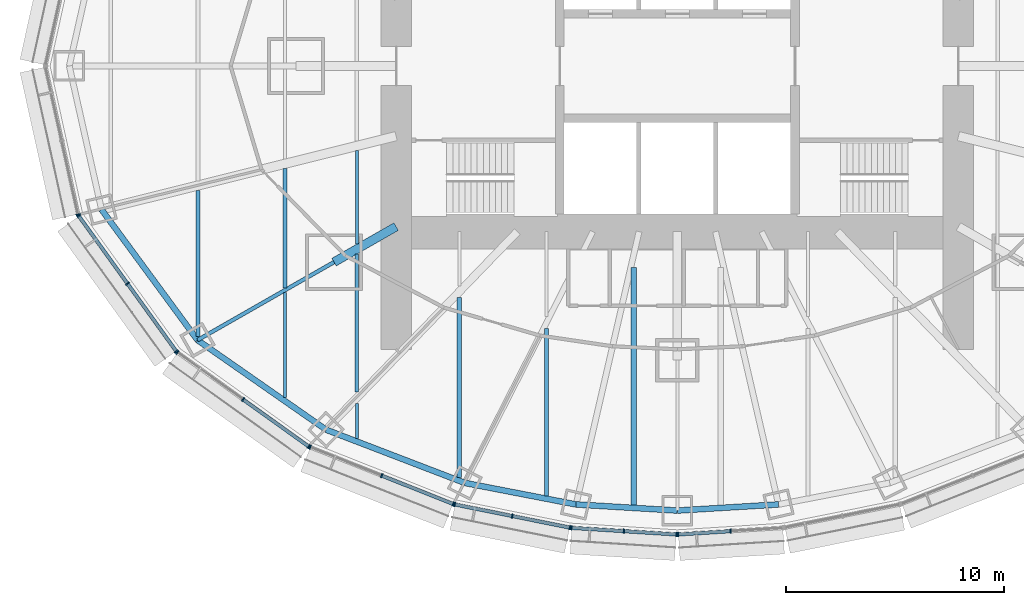
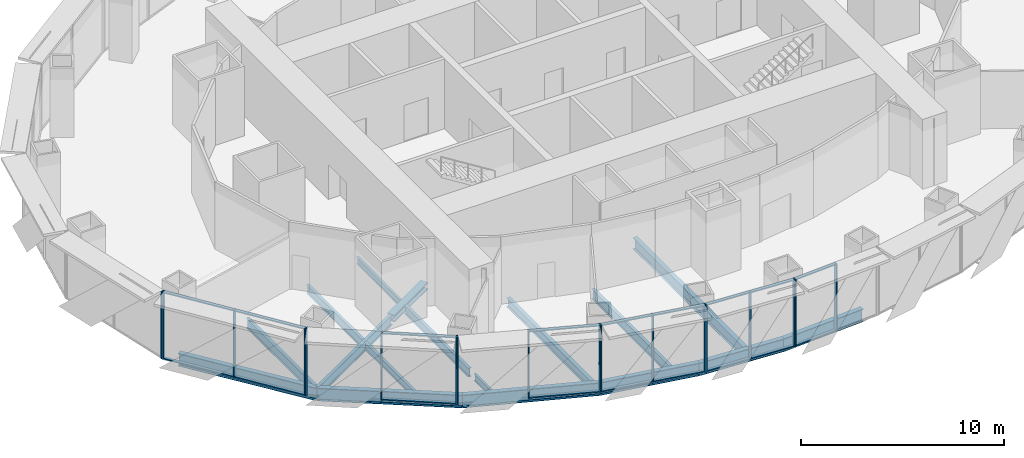
# One storey, part 2 of 17: 36 members, 17 beams, 7 elements without a shape of their own.
"""IFC4 building model written with IfcOpenShell, lengths in metres."""

from ifc_helpers import new_model, si_unit, direction, frame, origin, origin_2d, place, context, subcontext, project, spatial, rectangle, i_section, extrude, material, material_profile, profile_set, type_object, element, aggregate, save


model = new_model("IFC4")

# Units and contexts
model_context = context("Model", 3, precision=1e-05, world=origin(), true_north=direction((0.0, 1.0)))
body_context = subcontext(model_context, "Body", "Model", "MODEL_VIEW")
ifc_project = project(units=[si_unit("LENGTHUNIT", "METRE"), si_unit("AREAUNIT", "SQUARE_METRE"), si_unit("VOLUMEUNIT", "CUBIC_METRE"), si_unit("PLANEANGLEUNIT", "RADIAN"), si_unit("MASSUNIT", "GRAM", prefix="KILO")], contexts=[model_context])

# Site, building, storey
site_placement = place(None, origin())
site = spatial("IfcSite", under=ifc_project, at=site_placement, CompositionType="ELEMENT")
building_placement = place(site_placement, origin())
building = spatial("IfcBuilding", under=site, at=building_placement, Name="Lantaw Convention Tower", CompositionType="ELEMENT")
storey_placement = place(building_placement, frame((0.0, 0.0, 151.0)))
storey = spatial("IfcBuildingStorey", under=building, at=storey_placement, Name="L35", CompositionType="ELEMENT", Elevation=151.0)

# Beams
ifc_material_1 = material(Name="Steel ASTM A992", Category="steel")
ifc_material_profile_1 = material_profile(ifc_material_1, i_section(OverallWidth=0.2666015625, OverallDepth=0.76953125, WebThickness=0.015625, FlangeThickness=0.025390625, FilletRadius=0.0126953125, at=origin_2d()), Name="W30X132")
ifc_profile_set_1 = profile_set([ifc_material_profile_1], Name="Steel ASTM A992")
beam_type_1 = type_object("IfcBeamType", Name="Beam E W30X132", PredefinedType="SPANDREL", material=ifc_profile_set_1)
beam_1_placement = place(storey_placement, frame((-26.419921875, -6.587158203125, -0.534912109375), z_axis=(0.5923891972, -0.805651934176, 0.0), x_axis=(0.805651934176, 0.5923891972, 0.0)))
element("IfcBeam", 1, at=beam_1_placement, inside=storey, type_object=beam_type_1, Name="Edge beam 14", PredefinedType="SPANDREL", context=body_context, shape_type="SweptSolid", body=[
    extrude(i_section(OverallWidth=0.2666015625, OverallDepth=0.76953125, WebThickness=0.015625, FlangeThickness=0.025390625, FilletRadius=0.0126953125, at=origin_2d()), origin(), (0.0, 0.0, 1.0), 7.437744140625),
])
beam_2_placement = place(storey_placement, frame((-22.013916015625, -12.579345703125, -0.534912109375), z_axis=(0.820310765287, -0.57191804339, 0.0), x_axis=(0.57191804339, 0.820310765287, 0.0)))
element("IfcBeam", 2, at=beam_2_placement, inside=storey, type_object=beam_type_1, Name="Edge beam 15", PredefinedType="SPANDREL", context=body_context, shape_type="SweptSolid", body=[
    extrude(i_section(OverallWidth=0.2666015625, OverallDepth=0.76953125, WebThickness=0.015625, FlangeThickness=0.025390625, FilletRadius=0.0126953125, at=origin_2d()), origin(), (0.0, 0.0, 1.0), 7.187744140625),
])
beam_3_placement = place(storey_placement, frame((-16.11767578125, -16.690185546875, -0.534912109375), z_axis=(0.933691081977, -0.358079549033, 0.0), x_axis=(0.358079549033, 0.933691081977, 0.0)))
element("IfcBeam", 3, at=beam_3_placement, inside=storey, type_object=beam_type_1, Name="Edge beam 16", PredefinedType="SPANDREL", context=body_context, shape_type="SweptSolid", body=[
    extrude(i_section(OverallWidth=0.2666015625, OverallDepth=0.76953125, WebThickness=0.015625, FlangeThickness=0.025390625, FilletRadius=0.0126953125, at=origin_2d()), origin(), (0.0, 0.0, 1.0), 6.821533203125),
])
beam_4_placement = place(storey_placement, frame((-9.74853515625, -19.1328125, -0.534912109375), z_axis=(0.981796805654, -0.189934284446, 0.0), x_axis=(0.189934284446, 0.981796805654, 0.0)))
element("IfcBeam", 4, at=beam_4_placement, inside=storey, type_object=beam_type_1, Name="Edge beam 17", PredefinedType="SPANDREL", context=body_context, shape_type="SweptSolid", body=[
    extrude(i_section(OverallWidth=0.2666015625, OverallDepth=0.76953125, WebThickness=0.015625, FlangeThickness=0.025390625, FilletRadius=0.0126953125, at=origin_2d()), origin(), (0.0, 0.0, 1.0), 5.1982421875),
])
for number, where, z_axis, x_axis, name in (
    (5, (-4.64501953125, -20.1201171875, -0.534912109375), (0.998190892054, -0.06012439621, 0.0), (0.06012439621, 0.998190892054, 0.0), "Edge beam 18"),
    (6, (0.0, -20.39990234375, -0.534912109375), (0.998190892054, 0.06012439621, 0.0), (-0.06012439621, 0.998190892054, 0.0), "Edge beam 19"),
):
    element("IfcBeam", number, at=place(storey_placement, frame(where, z_axis=z_axis, x_axis=x_axis)), inside=storey, type_object=beam_type_1, Name=name, PredefinedType="SPANDREL", context=body_context, shape_type="SweptSolid", body=[
        extrude(i_section(OverallWidth=0.2666015625, OverallDepth=0.76953125, WebThickness=0.015625, FlangeThickness=0.025390625, FilletRadius=0.0126953125, at=origin_2d()), origin(), (0.0, 0.0, 1.0), 4.6533203125),
    ])
ifc_material_profile_2 = material_profile(ifc_material_1, i_section(OverallWidth=0.177978515625, OverallDepth=0.599365234375, WebThickness=0.010009765625, FlangeThickness=0.012939453125, FilletRadius=0.012939453125, at=origin_2d()), Name="W24X55")
ifc_profile_set_2 = profile_set([ifc_material_profile_2], Name="Steel ASTM A992")
beam_type_2 = type_object("IfcBeamType", Name="Beam G W24X55", PredefinedType="BEAM", material=ifc_profile_set_2)
beam_5_placement = place(storey_placement, frame((-15.75, -9.0, -0.44970703125), z_axis=(-0.868245224608, -0.496135293993, 0.0), x_axis=(0.496135293993, -0.868245224608, 0.0)))
element("IfcBeam", 7, at=beam_5_placement, inside=storey, type_object=beam_type_2, Name="Floor girder on ray 15", PredefinedType="BEAM", context=body_context, shape_type="SweptSolid", body=[
    extrude(i_section(OverallWidth=0.177978515625, OverallDepth=0.599365234375, WebThickness=0.010009765625, FlangeThickness=0.012939453125, FilletRadius=0.012939453125, at=origin_2d()), origin(), (0.0, 0.0, 1.0), 7.21435546875),
])
ifc_material_profile_3 = material_profile(ifc_material_1, i_section(OverallWidth=0.40380859375, OverallDepth=0.406494140625, WebThickness=0.027099609375, FlangeThickness=0.043701171875, FilletRadius=0.01513671875, at=origin_2d()), Name="W14X233")
ifc_profile_set_3 = profile_set([ifc_material_profile_3], Name="Steel ASTM A992")
beam_type_3 = type_object("IfcBeamType", Name="Beam GM W14X233", PredefinedType="BEAM", material=ifc_profile_set_3)
beam_6_placement = place(storey_placement, frame((-12.89990234375, -7.371337890625, -0.353271484375), z_axis=(-0.868238565244, -0.496146947811, 0.0), x_axis=(0.496146947811, -0.868238565244, 0.0)))
element("IfcBeam", 8, at=beam_6_placement, inside=storey, type_object=beam_type_3, Name="Core link beam on ray 15", PredefinedType="BEAM", context=body_context, shape_type="SweptSolid", body=[
    extrude(i_section(OverallWidth=0.40380859375, OverallDepth=0.406494140625, WebThickness=0.027099609375, FlangeThickness=0.043701171875, FilletRadius=0.01513671875, at=origin_2d()), origin(), (0.0, 0.0, 1.0), 3.28271484375),
])
ifc_material_profile_4 = material_profile(ifc_material_1, i_section(OverallWidth=0.140380859375, OverallDepth=0.40380859375, WebThickness=0.007080078125, FlangeThickness=0.01123046875, FilletRadius=0.01025390625, at=origin_2d()), Name="W16X31")
ifc_profile_set_4 = profile_set([ifc_material_profile_4], Name="Steel ASTM A992")
beam_type_4 = type_object("IfcBeamType", Name="Beam J W16X31", PredefinedType="JOIST", material=ifc_profile_set_4)
beam_7_placement = place(storey_placement, frame((-14.699951171875, -17.091064453125, -0.35205078125), z_axis=(0.0, 1.0, 0.0), x_axis=(-1.0, 0.0, 0.0)))
element("IfcBeam", 9, at=beam_7_placement, inside=storey, type_object=beam_type_4, Name="Floor joist", PredefinedType="JOIST", context=body_context, shape_type="SweptSolid", body=[
    extrude(i_section(OverallWidth=0.140380859375, OverallDepth=0.40380859375, WebThickness=0.007080078125, FlangeThickness=0.01123046875, FilletRadius=0.01025390625, at=origin_2d()), origin(), (0.0, 0.0, 1.0), 1.609130859375),
])
beam_8_placement = place(storey_placement, frame((-14.699951171875, -8.16748046875, -0.35205078125), z_axis=(0.0, 1.0, 0.0), x_axis=(-1.0, 0.0, 0.0)))
element("IfcBeam", 10, at=beam_8_placement, inside=storey, type_object=beam_type_4, Name="Floor joist", PredefinedType="JOIST", context=body_context, shape_type="SweptSolid", body=[
    extrude(i_section(OverallWidth=0.140380859375, OverallDepth=0.40380859375, WebThickness=0.007080078125, FlangeThickness=0.01123046875, FilletRadius=0.01025390625, at=origin_2d()), origin(), (0.0, 0.0, 1.0), 4.28515625),
])
ifc_material_profile_5 = material_profile(ifc_material_1, i_section(OverallWidth=0.15234375, OverallDepth=0.449462890625, WebThickness=0.007568359375, FlangeThickness=0.0107421875, FilletRadius=0.01025390625, at=origin_2d()), Name="W18X35")
ifc_profile_set_5 = profile_set([ifc_material_profile_5], Name="Steel ASTM A992")
beam_type_5 = type_object("IfcBeamType", Name="Beam J W18X35", PredefinedType="JOIST", material=ifc_profile_set_5)
beam_9_placement = place(storey_placement, frame((-18.0, -15.21533203125, -0.374755859375), z_axis=(0.0, 1.0, 0.0), x_axis=(-1.0, 0.0, 0.0)))
element("IfcBeam", 11, at=beam_9_placement, inside=storey, type_object=beam_type_5, Name="Floor joist", PredefinedType="JOIST", context=body_context, shape_type="SweptSolid", body=[
    extrude(i_section(OverallWidth=0.15234375, OverallDepth=0.449462890625, WebThickness=0.007568359375, FlangeThickness=0.0107421875, FilletRadius=0.01025390625, at=origin_2d()), origin(), (0.0, 0.0, 1.0), 4.8271484375),
])
ifc_material_profile_6 = material_profile(ifc_material_1, i_section(OverallWidth=0.1650390625, OverallDepth=0.52587890625, WebThickness=0.0087890625, FlangeThickness=0.011474609375, FilletRadius=0.0126953125, at=origin_2d()), Name="W21X44")
ifc_profile_set_6 = profile_set([ifc_material_profile_6], Name="Steel ASTM A992")
beam_type_6 = type_object("IfcBeamType", Name="Beam J W21X44", PredefinedType="JOIST", material=ifc_profile_set_6)
beam_10_placement = place(storey_placement, frame((-18.0, -10.18310546875, -0.412841796875), z_axis=(0.0, 1.0, 0.0), x_axis=(-1.0, 0.0, 0.0)))
element("IfcBeam", 12, at=beam_10_placement, inside=storey, type_object=beam_type_6, Name="Floor joist", PredefinedType="JOIST", context=body_context, shape_type="SweptSolid", body=[
    extrude(i_section(OverallWidth=0.1650390625, OverallDepth=0.52587890625, WebThickness=0.0087890625, FlangeThickness=0.011474609375, FilletRadius=0.0126953125, at=origin_2d()), origin(), (0.0, 0.0, 1.0), 5.47802734375),
])
beam_11_placement = place(storey_placement, frame((-14.699951171875, -14.962646484375, -0.412841796875), z_axis=(0.0, 1.0, 0.0), x_axis=(-1.0, 0.0, 0.0)))
element("IfcBeam", 13, at=beam_11_placement, inside=storey, type_object=beam_type_6, Name="Floor joist", PredefinedType="JOIST", context=body_context, shape_type="SweptSolid", body=[
    extrude(i_section(OverallWidth=0.1650390625, OverallDepth=0.52587890625, WebThickness=0.0087890625, FlangeThickness=0.011474609375, FilletRadius=0.0126953125, at=origin_2d()), origin(), (0.0, 0.0, 1.0), 6.330078125),
])
ifc_material_profile_7 = material_profile(ifc_material_1, i_section(OverallWidth=0.2099609375, OverallDepth=0.535888671875, WebThickness=0.010986328125, FlangeThickness=0.017333984375, FilletRadius=0.012939453125, at=origin_2d()), Name="W21X68")
ifc_profile_set_7 = profile_set([ifc_material_profile_7], Name="Steel ASTM A992")
beam_type_7 = type_object("IfcBeamType", Name="Beam J W21X68", PredefinedType="JOIST", material=ifc_profile_set_7)
beam_12_placement = place(storey_placement, frame((-10.0, -18.8935546875, -0.41796875), z_axis=(0.0, 1.0, 0.0), x_axis=(-1.0, 0.0, 0.0)))
element("IfcBeam", 14, at=beam_12_placement, inside=storey, type_object=beam_type_7, Name="Floor joist", PredefinedType="JOIST", context=body_context, shape_type="SweptSolid", body=[
    extrude(i_section(OverallWidth=0.2099609375, OverallDepth=0.535888671875, WebThickness=0.010986328125, FlangeThickness=0.017333984375, FilletRadius=0.012939453125, at=origin_2d()), origin(), (0.0, 0.0, 1.0), 8.278564453125),
])
ifc_material_profile_8 = material_profile(ifc_material_1, i_section(OverallWidth=0.177978515625, OverallDepth=0.599365234375, WebThickness=0.010009765625, FlangeThickness=0.012939453125, FilletRadius=0.012939453125, at=origin_2d()), Name="W24X55")
ifc_profile_set_8 = profile_set([ifc_material_profile_8], Name="Steel ASTM A992")
beam_type_8 = type_object("IfcBeamType", Name="Beam J W24X55", PredefinedType="JOIST", material=ifc_profile_set_8)
beam_13_placement = place(storey_placement, frame((-22.0, -12.408935546875, -0.44970703125), z_axis=(0.0, 1.0, 0.0), x_axis=(-1.0, 0.0, 0.0)))
element("IfcBeam", 15, at=beam_13_placement, inside=storey, type_object=beam_type_8, Name="Floor joist", PredefinedType="JOIST", context=body_context, shape_type="SweptSolid", body=[
    extrude(i_section(OverallWidth=0.177978515625, OverallDepth=0.599365234375, WebThickness=0.010009765625, FlangeThickness=0.012939453125, FilletRadius=0.012939453125, at=origin_2d()), origin(), (0.0, 0.0, 1.0), 6.70654296875),
])
beam_14_placement = place(storey_placement, frame((-6.0, -19.72216796875, -0.44970703125), z_axis=(0.0, 1.0, 0.0), x_axis=(-1.0, 0.0, 0.0)))
element("IfcBeam", 16, at=beam_14_placement, inside=storey, type_object=beam_type_8, Name="Floor joist", PredefinedType="JOIST", context=body_context, shape_type="SweptSolid", body=[
    extrude(i_section(OverallWidth=0.177978515625, OverallDepth=0.599365234375, WebThickness=0.010009765625, FlangeThickness=0.012939453125, FilletRadius=0.012939453125, at=origin_2d()), origin(), (0.0, 0.0, 1.0), 7.666748046875),
])
ifc_material_profile_9 = material_profile(ifc_material_1, i_section(OverallWidth=0.25390625, OverallDepth=0.683349609375, WebThickness=0.012451171875, FlangeThickness=0.01904296875, FilletRadius=0.01513671875, at=origin_2d()), Name="W27X94")
ifc_profile_set_9 = profile_set([ifc_material_profile_9], Name="Steel ASTM A992")
beam_type_9 = type_object("IfcBeamType", Name="Beam J W27X94", PredefinedType="JOIST", material=ifc_profile_set_9)
beam_15_placement = place(storey_placement, frame((-2.0, -20.145751953125, -0.49169921875), z_axis=(0.0, 1.0, 0.0), x_axis=(-1.0, 0.0, 0.0)))
element("IfcBeam", 17, at=beam_15_placement, inside=storey, type_object=beam_type_9, Name="Floor joist", PredefinedType="JOIST", context=body_context, shape_type="SweptSolid", body=[
    extrude(i_section(OverallWidth=0.25390625, OverallDepth=0.683349609375, WebThickness=0.012451171875, FlangeThickness=0.01904296875, FilletRadius=0.01513671875, at=origin_2d()), origin(), (0.0, 0.0, 1.0), 10.889892578125),
])

# Curtain wall, member
ifc_material_2 = material(Name="Aluminium framed curtain wall", Category="aluminium")
curtain_wall_type = type_object("IfcCurtainWallType", Name="Office curtain wall low rise, pale aluminium", PredefinedType="USERDEFINED", material=ifc_material_2)
curtain_wall_1_placement = place(storey_placement, origin())
curtain_wall_1 = element("IfcCurtainWall", 18, at=curtain_wall_1_placement, inside=storey, type_object=curtain_wall_type, Name="Office curtain wall low rise, pale aluminium L35", ObjectType="UNITISED CURTAIN WALL", PredefinedType="USERDEFINED")
ifc_material_3 = material(Name="Aluminium 6063-T6", Category="aluminium")
ifc_material_profile_10 = material_profile(ifc_material_3, rectangle(XDim=0.199951171875, YDim=0.06494140625, at=origin_2d()), Name="CW-O1 mullion 65x200")
ifc_profile_set_10 = profile_set([ifc_material_profile_10], Name="Aluminium 6063-T6")
member_type_1 = type_object("IfcMemberType", Name="CW-O1 mullion 65x200", PredefinedType="MULLION", material=ifc_profile_set_10)
member_1_placement = place(storey_placement, frame((-27.494140625, -6.821533203125, 0.0), z_axis=(0.0, 0.0, 1.0), x_axis=(0.9764936509, 0.215546166174, 0.0)))
member_1 = element("IfcMember", 19, at=member_1_placement, type_object=member_type_1, Name="CW-O1 mullion 3", PredefinedType="MULLION", context=body_context, shape_type="SweptSolid", body=[
    extrude(rectangle(XDim=0.199951171875, YDim=0.06494140625, at=origin_2d()), origin(), (0.0, 0.0, 1.0), 4.050048828125),
])
aggregate(curtain_wall_1, [member_1])

# Curtain wall, members
curtain_wall_2_placement = place(storey_placement, origin())
curtain_wall_2 = element("IfcCurtainWall", 20, at=curtain_wall_2_placement, inside=storey, type_object=curtain_wall_type, Name="Office curtain wall low rise, pale aluminium L35", ObjectType="UNITISED CURTAIN WALL", PredefinedType="USERDEFINED")
member_2_placement = place(storey_placement, frame((-27.46826171875, -6.879638671875, 0.0), z_axis=(0.0, 0.0, 1.0), x_axis=(0.811384633629, 0.584512597221, 0.0)))
member_2 = element("IfcMember", 21, at=member_2_placement, type_object=member_type_1, Name="CW-O1 mullion 1", PredefinedType="MULLION", context=body_context, shape_type="SweptSolid", body=[
    extrude(rectangle(XDim=0.199951171875, YDim=0.06494140625, at=origin_2d()), origin(), (0.0, 0.0, 1.0), 4.050048828125),
])
member_3_placement = place(storey_placement, frame((-25.22802734375, -9.9892578125, 0.0), z_axis=(0.0, 0.0, 1.0), x_axis=(0.811384633629, 0.584512597221, 0.0)))
member_3 = element("IfcMember", 22, at=member_3_placement, type_object=member_type_1, Name="CW-O1 mullion 2", PredefinedType="MULLION", context=body_context, shape_type="SweptSolid", body=[
    extrude(rectangle(XDim=0.199951171875, YDim=0.06494140625, at=origin_2d()), origin(), (0.0, 0.0, 1.0), 4.050048828125),
])
member_4_placement = place(storey_placement, frame((-22.988037109375, -13.098876953125, 0.0), z_axis=(0.0, 0.0, 1.0), x_axis=(0.811384633629, 0.584512597221, 0.0)))
member_4 = element("IfcMember", 23, at=member_4_placement, type_object=member_type_1, Name="CW-O1 mullion 3", PredefinedType="MULLION", context=body_context, shape_type="SweptSolid", body=[
    extrude(rectangle(XDim=0.199951171875, YDim=0.06494140625, at=origin_2d()), origin(), (0.0, 0.0, 1.0), 4.050048828125),
])

curtain_wall_3_placement = place(storey_placement, origin())
curtain_wall_3 = element("IfcCurtainWall", 24, at=curtain_wall_3_placement, inside=storey, type_object=curtain_wall_type, Name="Office curtain wall low rise, pale aluminium L35", ObjectType="UNITISED CURTAIN WALL", PredefinedType="USERDEFINED")
member_5_placement = place(storey_placement, frame((-22.942626953125, -13.14404296875, 0.0), z_axis=(0.0, 0.0, 1.0), x_axis=(0.581972695693, 0.813208325995, 0.0)))
member_5 = element("IfcMember", 25, at=member_5_placement, type_object=member_type_1, Name="CW-O1 mullion 1", PredefinedType="MULLION", context=body_context, shape_type="SweptSolid", body=[
    extrude(rectangle(XDim=0.199951171875, YDim=0.06494140625, at=origin_2d()), origin(), (0.0, 0.0, 1.0), 4.050048828125),
])
member_6_placement = place(storey_placement, frame((-19.92529296875, -15.303466796875, 0.0), z_axis=(0.0, 0.0, 1.0), x_axis=(0.581972695693, 0.813208325995, 0.0)))
member_6 = element("IfcMember", 26, at=member_6_placement, type_object=member_type_1, Name="CW-O1 mullion 2", PredefinedType="MULLION", context=body_context, shape_type="SweptSolid", body=[
    extrude(rectangle(XDim=0.199951171875, YDim=0.06494140625, at=origin_2d()), origin(), (0.0, 0.0, 1.0), 4.050048828125),
])
member_7_placement = place(storey_placement, frame((-16.908203125, -17.462646484375, 0.0), z_axis=(0.0, 0.0, 1.0), x_axis=(0.581972695693, 0.813208325995, 0.0)))
member_7 = element("IfcMember", 27, at=member_7_placement, type_object=member_type_1, Name="CW-O1 mullion 3", PredefinedType="MULLION", context=body_context, shape_type="SweptSolid", body=[
    extrude(rectangle(XDim=0.199951171875, YDim=0.06494140625, at=origin_2d()), origin(), (0.0, 0.0, 1.0), 4.050048828125),
])

curtain_wall_4_placement = place(storey_placement, origin())
curtain_wall_4 = element("IfcCurtainWall", 28, at=curtain_wall_4_placement, inside=storey, type_object=curtain_wall_type, Name="Office curtain wall low rise, pale aluminium L35", ObjectType="UNITISED CURTAIN WALL", PredefinedType="USERDEFINED")
member_8_placement = place(storey_placement, frame((-16.8515625, -17.49365234375, 0.0), z_axis=(0.0, 0.0, 1.0), x_axis=(0.368701907483, 0.929547687544, 0.0)))
member_8 = element("IfcMember", 29, at=member_8_placement, type_object=member_type_1, Name="CW-O1 mullion 1", PredefinedType="MULLION", context=body_context, shape_type="SweptSolid", body=[
    extrude(rectangle(XDim=0.199951171875, YDim=0.06494140625, at=origin_2d()), origin(), (0.0, 0.0, 1.0), 4.050048828125),
])
member_9_placement = place(storey_placement, frame((-13.56494140625, -18.797119140625, 0.0), z_axis=(0.0, 0.0, 1.0), x_axis=(0.368701907483, 0.929547687544, 0.0)))
member_9 = element("IfcMember", 30, at=member_9_placement, type_object=member_type_1, Name="CW-O1 mullion 2", PredefinedType="MULLION", context=body_context, shape_type="SweptSolid", body=[
    extrude(rectangle(XDim=0.199951171875, YDim=0.06494140625, at=origin_2d()), origin(), (0.0, 0.0, 1.0), 4.050048828125),
])
member_10_placement = place(storey_placement, frame((-10.2783203125, -20.100830078125, 0.0), z_axis=(0.0, 0.0, 1.0), x_axis=(0.368701907483, 0.929547687544, 0.0)))
member_10 = element("IfcMember", 31, at=member_10_placement, type_object=member_type_1, Name="CW-O1 mullion 3", PredefinedType="MULLION", context=body_context, shape_type="SweptSolid", body=[
    extrude(rectangle(XDim=0.199951171875, YDim=0.06494140625, at=origin_2d()), origin(), (0.0, 0.0, 1.0), 4.050048828125),
])

curtain_wall_5_placement = place(storey_placement, origin())
curtain_wall_5 = element("IfcCurtainWall", 32, at=curtain_wall_5_placement, inside=storey, type_object=curtain_wall_type, Name="Office curtain wall low rise, pale aluminium L35", ObjectType="UNITISED CURTAIN WALL", PredefinedType="USERDEFINED")
member_11_placement = place(storey_placement, frame((-10.216064453125, -20.119140625, 0.0), z_axis=(0.0, 0.0, 1.0), x_axis=(0.197506809659, 0.980301514912, 0.0)))
member_11 = element("IfcMember", 33, at=member_11_placement, type_object=member_type_1, Name="CW-O1 mullion 1", PredefinedType="MULLION", context=body_context, shape_type="SweptSolid", body=[
    extrude(rectangle(XDim=0.199951171875, YDim=0.06494140625, at=origin_2d()), origin(), (0.0, 0.0, 1.0), 4.050048828125),
])
member_12_placement = place(storey_placement, frame((-7.5703125, -20.65234375, 0.0), z_axis=(0.0, 0.0, 1.0), x_axis=(0.197506809659, 0.980301514912, 0.0)))
member_12 = element("IfcMember", 34, at=member_12_placement, type_object=member_type_1, Name="CW-O1 mullion 2", PredefinedType="MULLION", context=body_context, shape_type="SweptSolid", body=[
    extrude(rectangle(XDim=0.199951171875, YDim=0.06494140625, at=origin_2d()), origin(), (0.0, 0.0, 1.0), 4.050048828125),
])
member_13_placement = place(storey_placement, frame((-4.92431640625, -21.185302734375, 0.0), z_axis=(0.0, 0.0, 1.0), x_axis=(0.197506809659, 0.980301514912, 0.0)))
member_13 = element("IfcMember", 35, at=member_13_placement, type_object=member_type_1, Name="CW-O1 mullion 3", PredefinedType="MULLION", context=body_context, shape_type="SweptSolid", body=[
    extrude(rectangle(XDim=0.199951171875, YDim=0.06494140625, at=origin_2d()), origin(), (0.0, 0.0, 1.0), 4.050048828125),
])

curtain_wall_6_placement = place(storey_placement, origin())
curtain_wall_6 = element("IfcCurtainWall", 36, at=curtain_wall_6_placement, inside=storey, type_object=curtain_wall_type, Name="Office curtain wall low rise, pale aluminium L35", ObjectType="UNITISED CURTAIN WALL", PredefinedType="USERDEFINED")
member_14_placement = place(storey_placement, frame((-4.860107421875, -21.19384765625, 0.0), z_axis=(0.0, 0.0, 1.0), x_axis=(0.062865059466, 0.998022035978, 0.0)))
member_14 = element("IfcMember", 37, at=member_14_placement, type_object=member_type_1, Name="CW-O1 mullion 1", PredefinedType="MULLION", context=body_context, shape_type="SweptSolid", body=[
    extrude(rectangle(XDim=0.199951171875, YDim=0.06494140625, at=origin_2d()), origin(), (0.0, 0.0, 1.0), 4.050048828125),
])
member_15_placement = place(storey_placement, frame((-2.4462890625, -21.345947265625, 0.0), z_axis=(0.0, 0.0, 1.0), x_axis=(0.062865059466, 0.998022035978, 0.0)))
member_15 = element("IfcMember", 38, at=member_15_placement, type_object=member_type_1, Name="CW-O1 mullion 2", PredefinedType="MULLION", context=body_context, shape_type="SweptSolid", body=[
    extrude(rectangle(XDim=0.199951171875, YDim=0.06494140625, at=origin_2d()), origin(), (0.0, 0.0, 1.0), 4.050048828125),
])
member_16_placement = place(storey_placement, frame((-0.032470703125, -21.498046875, 0.0), z_axis=(0.0, 0.0, 1.0), x_axis=(0.062865059466, 0.998022035978, 0.0)))
member_16 = element("IfcMember", 39, at=member_16_placement, type_object=member_type_1, Name="CW-O1 mullion 3", PredefinedType="MULLION", context=body_context, shape_type="SweptSolid", body=[
    extrude(rectangle(XDim=0.199951171875, YDim=0.06494140625, at=origin_2d()), origin(), (0.0, 0.0, 1.0), 4.050048828125),
])

curtain_wall_7_placement = place(storey_placement, origin())
curtain_wall_7 = element("IfcCurtainWall", 40, at=curtain_wall_7_placement, inside=storey, type_object=curtain_wall_type, Name="Office curtain wall low rise, pale aluminium L35", ObjectType="UNITISED CURTAIN WALL", PredefinedType="USERDEFINED")
member_17_placement = place(storey_placement, frame((0.032470703125, -21.498046875, 0.0), z_axis=(0.0, 0.0, 1.0), x_axis=(-0.062865059466, 0.998022035978, 0.0)))
member_17 = element("IfcMember", 41, at=member_17_placement, type_object=member_type_1, Name="CW-O1 mullion 1", PredefinedType="MULLION", context=body_context, shape_type="SweptSolid", body=[
    extrude(rectangle(XDim=0.199951171875, YDim=0.06494140625, at=origin_2d()), origin(), (0.0, 0.0, 1.0), 4.050048828125),
])
member_18_placement = place(storey_placement, frame((2.4462890625, -21.345947265625, 0.0), z_axis=(0.0, 0.0, 1.0), x_axis=(-0.062865059466, 0.998022035978, 0.0)))
member_18 = element("IfcMember", 42, at=member_18_placement, type_object=member_type_1, Name="CW-O1 mullion 2", PredefinedType="MULLION", context=body_context, shape_type="SweptSolid", body=[
    extrude(rectangle(XDim=0.199951171875, YDim=0.06494140625, at=origin_2d()), origin(), (0.0, 0.0, 1.0), 4.050048828125),
])

# Member
ifc_material_profile_11 = material_profile(ifc_material_3, rectangle(XDim=0.159912109375, YDim=0.06494140625, at=origin_2d()), Name="CW-O1 transom 65x160")
ifc_profile_set_11 = profile_set([ifc_material_profile_11], Name="Aluminium 6063-T6")
member_type_2 = type_object("IfcMemberType", Name="CW-O1 transom 65x160", PredefinedType="USERDEFINED", material=ifc_profile_set_11)
member_19_placement = place(storey_placement, frame((-27.44921875, -6.906005859375, 0.032470703125), z_axis=(0.584512973979, -0.811384362217, 0.0), x_axis=(0.811384362217, 0.584512973979, 0.0)))
member_19 = element("IfcMember", 43, at=member_19_placement, type_object=member_type_2, Name="CW-O1 transom 1.1", ObjectType="TRANSOM", PredefinedType="USERDEFINED", context=body_context, shape_type="SweptSolid", body=[
    extrude(rectangle(XDim=0.159912109375, YDim=0.06494140625, at=origin_2d()), origin(), (0.0, 0.0, 1.0), 3.767578125),
])

member_20_placement = place(storey_placement, frame((-27.44921875, -6.906005859375, 4.017578125), z_axis=(0.584512973979, -0.811384362217, 0.0), x_axis=(0.811384362217, 0.584512973979, 0.0)))
member_20 = element("IfcMember", 44, at=member_20_placement, type_object=member_type_2, Name="CW-O1 transom 1.2", ObjectType="TRANSOM", PredefinedType="USERDEFINED", context=body_context, shape_type="SweptSolid", body=[
    extrude(rectangle(XDim=0.159912109375, YDim=0.06494140625, at=origin_2d()), origin(), (0.0, 0.0, 1.0), 3.767578125),
])

member_21_placement = place(storey_placement, frame((-25.209228515625, -10.015625, 0.032470703125), z_axis=(0.584512973979, -0.811384362217, 0.0), x_axis=(0.811384362217, 0.584512973979, 0.0)))
member_21 = element("IfcMember", 45, at=member_21_placement, type_object=member_type_2, Name="CW-O1 transom 2.1", ObjectType="TRANSOM", PredefinedType="USERDEFINED", context=body_context, shape_type="SweptSolid", body=[
    extrude(rectangle(XDim=0.159912109375, YDim=0.06494140625, at=origin_2d()), origin(), (0.0, 0.0, 1.0), 3.767578125),
])

member_22_placement = place(storey_placement, frame((-25.209228515625, -10.015625, 4.017578125), z_axis=(0.584512973979, -0.811384362217, 0.0), x_axis=(0.811384362217, 0.584512973979, 0.0)))
member_22 = element("IfcMember", 46, at=member_22_placement, type_object=member_type_2, Name="CW-O1 transom 2.2", ObjectType="TRANSOM", PredefinedType="USERDEFINED", context=body_context, shape_type="SweptSolid", body=[
    extrude(rectangle(XDim=0.159912109375, YDim=0.06494140625, at=origin_2d()), origin(), (0.0, 0.0, 1.0), 3.767578125),
])

aggregate(curtain_wall_2, [member_2, member_3, member_4, member_19, member_20, member_21, member_22])

member_23_placement = place(storey_placement, frame((-19.89892578125, -15.322265625, 0.032470703125), z_axis=(0.813190089133, -0.581998177777, 0.0), x_axis=(0.581998177777, 0.813190089133, 0.0)))
member_23 = element("IfcMember", 47, at=member_23_placement, type_object=member_type_2, Name="CW-O1 transom 2.1", ObjectType="TRANSOM", PredefinedType="USERDEFINED", context=body_context, shape_type="SweptSolid", body=[
    extrude(rectangle(XDim=0.159912109375, YDim=0.06494140625, at=origin_2d()), origin(), (0.0, 0.0, 1.0), 3.645263671875),
])

member_24_placement = place(storey_placement, frame((-19.89892578125, -15.322265625, 4.017578125), z_axis=(0.813190089133, -0.581998177777, 0.0), x_axis=(0.581998177777, 0.813190089133, 0.0)))
member_24 = element("IfcMember", 48, at=member_24_placement, type_object=member_type_2, Name="CW-O1 transom 2.2", ObjectType="TRANSOM", PredefinedType="USERDEFINED", context=body_context, shape_type="SweptSolid", body=[
    extrude(rectangle(XDim=0.159912109375, YDim=0.06494140625, at=origin_2d()), origin(), (0.0, 0.0, 1.0), 3.645263671875),
])

aggregate(curtain_wall_3, [member_5, member_6, member_7, member_23, member_24])

member_25_placement = place(storey_placement, frame((-13.53466796875, -18.80908203125, 0.032470703125), z_axis=(0.929540081544, -0.368721082668, 0.0), x_axis=(0.368721082668, 0.929540081544, 0.0)))
member_25 = element("IfcMember", 49, at=member_25_placement, type_object=member_type_2, Name="CW-O1 transom 2.1", ObjectType="TRANSOM", PredefinedType="USERDEFINED", context=body_context, shape_type="SweptSolid", body=[
    extrude(rectangle(XDim=0.159912109375, YDim=0.06494140625, at=origin_2d()), origin(), (0.0, 0.0, 1.0), 3.470947265625),
])

member_26_placement = place(storey_placement, frame((-13.53466796875, -18.80908203125, 4.017578125), z_axis=(0.929540081544, -0.368721082668, 0.0), x_axis=(0.368721082668, 0.929540081544, 0.0)))
member_26 = element("IfcMember", 50, at=member_26_placement, type_object=member_type_2, Name="CW-O1 transom 2.2", ObjectType="TRANSOM", PredefinedType="USERDEFINED", context=body_context, shape_type="SweptSolid", body=[
    extrude(rectangle(XDim=0.159912109375, YDim=0.06494140625, at=origin_2d()), origin(), (0.0, 0.0, 1.0), 3.470947265625),
])

aggregate(curtain_wall_4, [member_8, member_9, member_10, member_25, member_26])

member_27_placement = place(storey_placement, frame((-10.184326171875, -20.125732421875, 0.032470703125), z_axis=(0.980301643003, -0.197506173891, 0.0), x_axis=(0.197506173891, 0.980301643003, 0.0)))
member_27 = element("IfcMember", 51, at=member_27_placement, type_object=member_type_2, Name="CW-O1 transom 1.1", ObjectType="TRANSOM", PredefinedType="USERDEFINED", context=body_context, shape_type="SweptSolid", body=[
    extrude(rectangle(XDim=0.159912109375, YDim=0.06494140625, at=origin_2d()), origin(), (0.0, 0.0, 1.0), 2.63427734375),
])

member_28_placement = place(storey_placement, frame((-10.184326171875, -20.125732421875, 4.017578125), z_axis=(0.980301643003, -0.197506173891, 0.0), x_axis=(0.197506173891, 0.980301643003, 0.0)))
member_28 = element("IfcMember", 52, at=member_28_placement, type_object=member_type_2, Name="CW-O1 transom 1.2", ObjectType="TRANSOM", PredefinedType="USERDEFINED", context=body_context, shape_type="SweptSolid", body=[
    extrude(rectangle(XDim=0.159912109375, YDim=0.06494140625, at=origin_2d()), origin(), (0.0, 0.0, 1.0), 2.63427734375),
])

member_29_placement = place(storey_placement, frame((-7.538330078125, -20.65869140625, 0.032470703125), z_axis=(0.980298027092, -0.197524120247, 0.0), x_axis=(0.197524120247, 0.980298027092, 0.0)))
member_29 = element("IfcMember", 53, at=member_29_placement, type_object=member_type_2, Name="CW-O1 transom 2.1", ObjectType="TRANSOM", PredefinedType="USERDEFINED", context=body_context, shape_type="SweptSolid", body=[
    extrude(rectangle(XDim=0.159912109375, YDim=0.06494140625, at=origin_2d()), origin(), (0.0, 0.0, 1.0), 2.634033203125),
])

member_30_placement = place(storey_placement, frame((-7.538330078125, -20.65869140625, 4.017578125), z_axis=(0.980298027092, -0.197524120247, 0.0), x_axis=(0.197524120247, 0.980298027092, 0.0)))
member_30 = element("IfcMember", 54, at=member_30_placement, type_object=member_type_2, Name="CW-O1 transom 2.2", ObjectType="TRANSOM", PredefinedType="USERDEFINED", context=body_context, shape_type="SweptSolid", body=[
    extrude(rectangle(XDim=0.159912109375, YDim=0.06494140625, at=origin_2d()), origin(), (0.0, 0.0, 1.0), 2.634033203125),
])

aggregate(curtain_wall_5, [member_11, member_12, member_13, member_27, member_28, member_29, member_30])

member_31_placement = place(storey_placement, frame((-4.82763671875, -21.19580078125, 0.032470703125), z_axis=(0.998022188463, -0.062862638625, 0.0), x_axis=(0.062862638625, 0.998022188463, 0.0)))
member_31 = element("IfcMember", 55, at=member_31_placement, type_object=member_type_2, Name="CW-O1 transom 1.1", ObjectType="TRANSOM", PredefinedType="USERDEFINED", context=body_context, shape_type="SweptSolid", body=[
    extrude(rectangle(XDim=0.159912109375, YDim=0.06494140625, at=origin_2d()), origin(), (0.0, 0.0, 1.0), 2.353515625),
])

member_32_placement = place(storey_placement, frame((-4.82763671875, -21.19580078125, 4.017578125), z_axis=(0.998022188463, -0.062862638625, 0.0), x_axis=(0.062862638625, 0.998022188463, 0.0)))
member_32 = element("IfcMember", 56, at=member_32_placement, type_object=member_type_2, Name="CW-O1 transom 1.2", ObjectType="TRANSOM", PredefinedType="USERDEFINED", context=body_context, shape_type="SweptSolid", body=[
    extrude(rectangle(XDim=0.159912109375, YDim=0.06494140625, at=origin_2d()), origin(), (0.0, 0.0, 1.0), 2.353515625),
])

member_33_placement = place(storey_placement, frame((-2.413818359375, -21.347900390625, 0.032470703125), z_axis=(0.998022188463, -0.062862638625, 0.0), x_axis=(0.062862638625, 0.998022188463, 0.0)))
member_33 = element("IfcMember", 57, at=member_33_placement, type_object=member_type_2, Name="CW-O1 transom 2.1", ObjectType="TRANSOM", PredefinedType="USERDEFINED", context=body_context, shape_type="SweptSolid", body=[
    extrude(rectangle(XDim=0.159912109375, YDim=0.06494140625, at=origin_2d()), origin(), (0.0, 0.0, 1.0), 2.353515625),
])

member_34_placement = place(storey_placement, frame((-2.413818359375, -21.347900390625, 4.017578125), z_axis=(0.998022188463, -0.062862638625, 0.0), x_axis=(0.062862638625, 0.998022188463, 0.0)))
member_34 = element("IfcMember", 58, at=member_34_placement, type_object=member_type_2, Name="CW-O1 transom 2.2", ObjectType="TRANSOM", PredefinedType="USERDEFINED", context=body_context, shape_type="SweptSolid", body=[
    extrude(rectangle(XDim=0.159912109375, YDim=0.06494140625, at=origin_2d()), origin(), (0.0, 0.0, 1.0), 2.353515625),
])

aggregate(curtain_wall_6, [member_14, member_15, member_16, member_31, member_32, member_33, member_34])

member_35_placement = place(storey_placement, frame((0.06494140625, -21.495849609375, 0.032470703125), z_axis=(0.998022188463, 0.062862638625, 0.0), x_axis=(-0.062862638625, 0.998022188463, 0.0)))
member_35 = element("IfcMember", 59, at=member_35_placement, type_object=member_type_2, Name="CW-O1 transom 1.1", ObjectType="TRANSOM", PredefinedType="USERDEFINED", context=body_context, shape_type="SweptSolid", body=[
    extrude(rectangle(XDim=0.159912109375, YDim=0.06494140625, at=origin_2d()), origin(), (0.0, 0.0, 1.0), 2.353515625),
])

member_36_placement = place(storey_placement, frame((0.06494140625, -21.495849609375, 4.017578125), z_axis=(0.998022188463, 0.062862638625, 0.0), x_axis=(-0.062862638625, 0.998022188463, 0.0)))
member_36 = element("IfcMember", 60, at=member_36_placement, type_object=member_type_2, Name="CW-O1 transom 1.2", ObjectType="TRANSOM", PredefinedType="USERDEFINED", context=body_context, shape_type="SweptSolid", body=[
    extrude(rectangle(XDim=0.159912109375, YDim=0.06494140625, at=origin_2d()), origin(), (0.0, 0.0, 1.0), 2.353515625),
])

aggregate(curtain_wall_7, [member_17, member_18, member_35, member_36])

save(model, "model.ifc")
